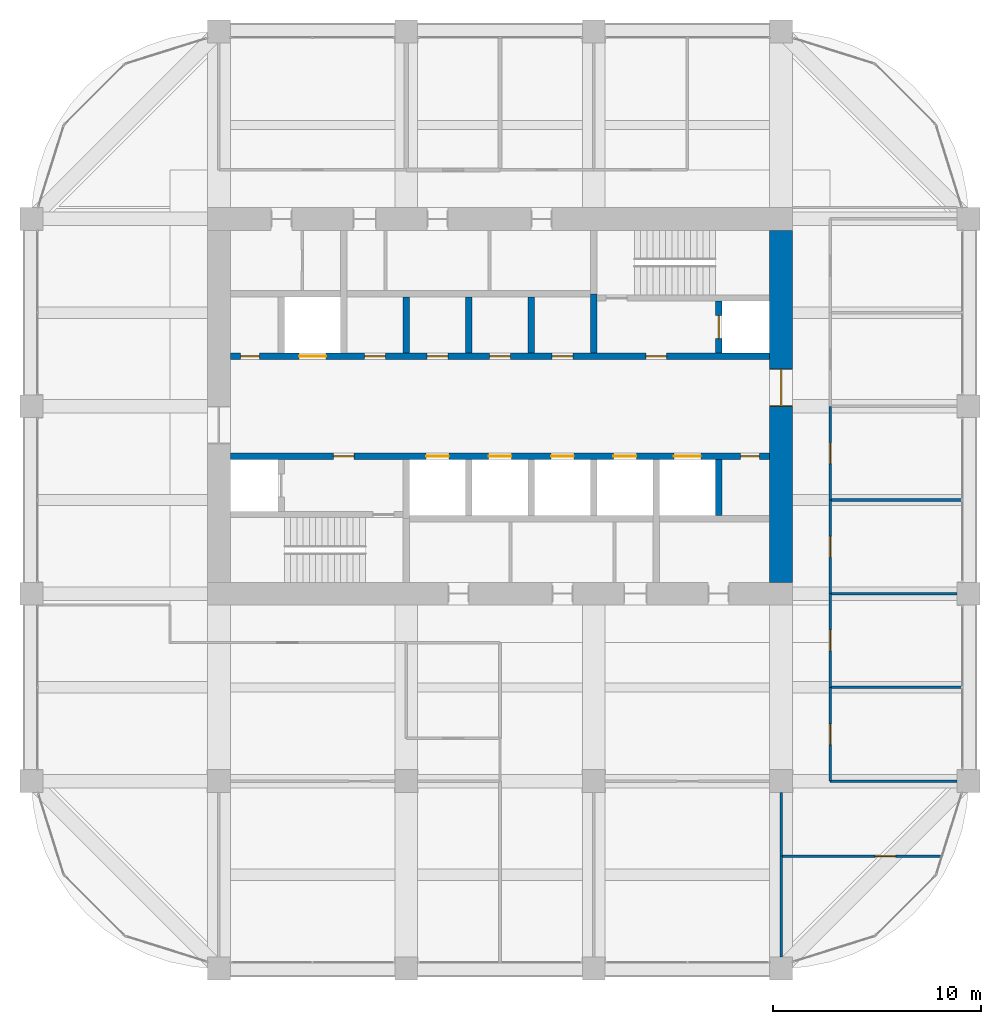
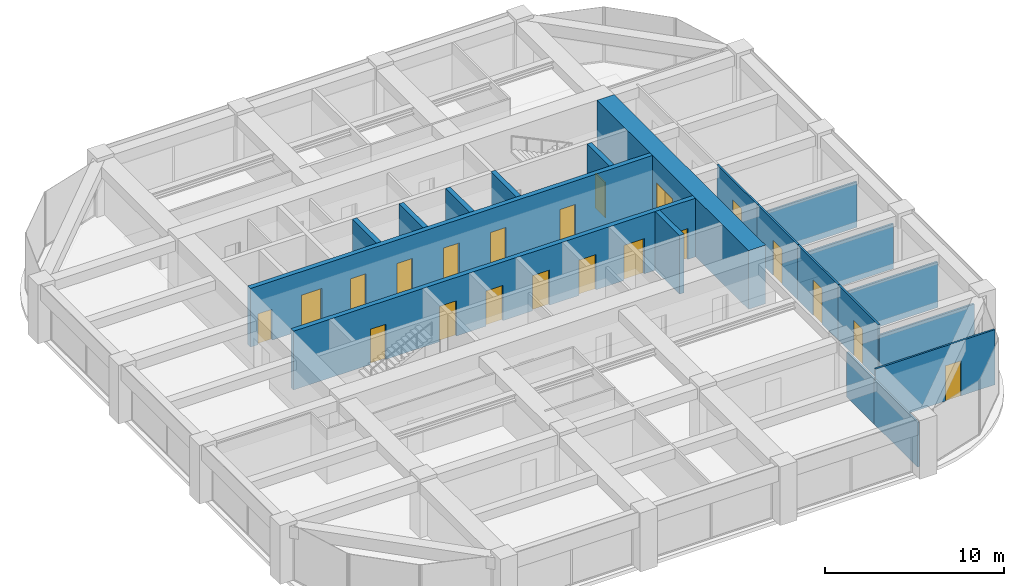
# One storey, part 42 of 45: 21 doors, 20 walls, 21 openings.
"""IFC4 building model written with IfcOpenShell, lengths in metres."""

from ifc_helpers import new_model, si_unit, direction, frame, frame_2d, origin, place, context, subcontext, project, spatial, rectangle, extrude, material, layer, layer_set, type_object, element, fill, save


model = new_model("IFC4")

# Units and contexts
model_context = context("Model", 3, precision=1e-05, world=origin(), true_north=direction((0.0, 1.0)))
body_context = subcontext(model_context, "Body", "Model", "MODEL_VIEW")
ifc_project = project(units=[si_unit("LENGTHUNIT", "METRE"), si_unit("AREAUNIT", "SQUARE_METRE"), si_unit("VOLUMEUNIT", "CUBIC_METRE"), si_unit("PLANEANGLEUNIT", "RADIAN"), si_unit("MASSUNIT", "GRAM", prefix="KILO")], contexts=[model_context])

# Site, building, storey
site_placement = place(None, origin())
site = spatial("IfcSite", under=ifc_project, at=site_placement, CompositionType="ELEMENT")
building_placement = place(site_placement, origin())
building = spatial("IfcBuilding", under=site, at=building_placement, Name="Zorevar Civic Tower", CompositionType="ELEMENT")
storey_placement = place(building_placement, frame((0.0, 0.0, 279.39990234375)))
storey = spatial("IfcBuildingStorey", under=building, at=storey_placement, Name="L68", CompositionType="ELEMENT", Elevation=279.39990234375)

# Wall, opening, door
ifc_material_1 = material(Name="Concrete C50/60", Category="concrete")
ifc_layer_1 = layer(ifc_material_1, 1.10009765625)
ifc_layer_set_1 = layer_set([ifc_layer_1], Name="Core wall 1100")
wall_type_1 = type_object("IfcWallType", Name="Core wall 1100", PredefinedType="SHEAR", material=ifc_layer_set_1)
wall_1_placement = place(storey_placement, frame((45.0, 18.550048828125, 0.0), z_axis=(0.0, 0.0, 1.0), x_axis=(0.0, 1.0, 0.0)))
wall_1 = element("IfcWall", 1, at=wall_1_placement, inside=storey, type_object=wall_type_1, Name="Core wall E L68", PredefinedType="SHEAR", context=body_context, shape_type="SweptSolid", body=[
    extrude(rectangle(XDim=16.89990234375, YDim=1.10009765625, at=frame_2d((8.449951171875, 0.0))), origin(), (0.0, 0.0, 1.0), 4.0),
])
opening_1_placement = place(wall_1_placement, frame((8.449951171875, 0.0, 0.0)))
opening_1 = element("IfcOpeningElement", 2, at=opening_1_placement, cuts=wall_1, Name="Opening L68.02", PredefinedType="OPENING", context=body_context, shape_type="SweptSolid", body=[
    extrude(rectangle(XDim=1.800048828125, YDim=2.39990234375, at=frame_2d((0.89990234375, 1.199951171875))), frame((0.0, 0.56005859375, 0.0), z_axis=(0.0, -1.0, 0.0), x_axis=(1.0, 0.0, 0.0)), (0.0, 0.0, 1.0), 1.1201171875),
])
ifc_material_2 = material(Name="Steel door set", Category="steel")
door_type_1 = type_object("IfcDoorType", Name="Fire door FD2 1800x2400", OperationType="DOUBLE_DOOR_DOUBLE_SWING", PredefinedType="DOOR", material=ifc_material_2)
door_1_placement = place(opening_1_placement, origin())
door_1 = element("IfcDoor", 3, at=door_1_placement, inside=storey, type_object=door_type_1, Name="Door L68 01", OperationType="DOUBLE_DOOR_DOUBLE_SWING", OverallHeight=2.39990234375, OverallWidth=1.800048828125, PredefinedType="DOOR", context=body_context, shape_type="SweptSolid", body=[
    extrude(rectangle(XDim=1.800048828125, YDim=2.39990234375, at=frame_2d((0.89990234375, 1.199951171875))), frame((0.0, 0.030029296875, 0.0), z_axis=(0.0, -1.0, 0.0), x_axis=(1.0, 0.0, 0.0)), (0.0, 0.0, 1.0), 0.06005859375),
    extrude(rectangle(XDim=0.04, YDim=2.39990234375, at=frame_2d((0.02001953125, 1.199951171875))), frame((0.0, 0.5498046875, 0.0), z_axis=(0.0, -1.0, 0.0), x_axis=(1.0, 0.0, 0.0)), (0.0, 0.0, 1.0), 1.099609375),
    extrude(rectangle(XDim=0.04, YDim=2.39990234375, at=frame_2d((1.780029296875, 1.199951171875))), frame((0.0, 0.5498046875, 0.0), z_axis=(0.0, -1.0, 0.0), x_axis=(1.0, 0.0, 0.0)), (0.0, 0.0, 1.0), 1.099609375),
    extrude(rectangle(XDim=1.800048828125, YDim=0.04, at=frame_2d((0.89990234375, 2.3798828125))), frame((0.0, 0.5498046875, 0.0), z_axis=(0.0, -1.0, 0.0), x_axis=(1.0, 0.0, 0.0)), (0.0, 0.0, 1.0), 1.099609375),
])
fill(opening_1, door_1)

ifc_material_3 = material(Name="Concrete C40/50", Category="concrete")
ifc_layer_2 = layer(ifc_material_3, 0.300048828125)
ifc_layer_set_2 = layer_set([ifc_layer_2], Name="Inner core wall 300")
wall_type_2 = type_object("IfcWallType", Name="Inner core wall 300", PredefinedType="SHEAR", material=ifc_layer_set_2)
wall_2_placement = place(storey_placement, frame((42.0, 29.550048828125, 0.0), z_axis=(0.0, 0.0, 1.0), x_axis=(0.0, 1.0, 0.0)))
wall_2 = element("IfcWall", 4, at=wall_2_placement, inside=storey, type_object=wall_type_2, Name="Inner core wall N02 L68", PredefinedType="SHEAR", context=body_context, shape_type="SweptSolid", body=[
    extrude(rectangle(XDim=2.5, YDim=0.300048828125, at=frame_2d((1.25, 0.0))), origin(), (0.0, 0.0, 1.0), 4.0),
])
opening_2_placement = place(wall_2_placement, frame((0.699951171875, 0.0, 0.0)))
opening_2 = element("IfcOpeningElement", 5, at=opening_2_placement, cuts=wall_2, Name="Opening L68.FL2", PredefinedType="OPENING", context=body_context, shape_type="SweptSolid", body=[
    extrude(rectangle(XDim=1.10009765625, YDim=2.39990234375, at=frame_2d((0.550048828125, 1.199951171875))), frame((0.0, 0.159912109375, 0.0), z_axis=(0.0, -1.0, 0.0), x_axis=(1.0, 0.0, 0.0)), (0.0, 0.0, 1.0), 0.320068359375),
])
ifc_material_4 = material(Name="Steel door set", Category="steel")
door_type_2 = type_object("IfcDoorType", Name="Firefighting lift landing door LD3 1100x2400", OperationType="DOUBLE_DOOR_SLIDING", PredefinedType="DOOR", material=ifc_material_4)
door_2_placement = place(opening_2_placement, origin())
door_2 = element("IfcDoor", 6, at=door_2_placement, inside=storey, type_object=door_type_2, Name="Landing door FL2 L68", OperationType="DOUBLE_DOOR_SLIDING", OverallHeight=2.39990234375, OverallWidth=1.10009765625, PredefinedType="DOOR", context=body_context, shape_type="SweptSolid", body=[
    extrude(rectangle(XDim=1.10009765625, YDim=2.39990234375, at=frame_2d((0.550048828125, 1.199951171875))), frame((0.0, 0.030029296875, 0.0), z_axis=(0.0, -1.0, 0.0), x_axis=(1.0, 0.0, 0.0)), (0.0, 0.0, 1.0), 0.06005859375),
])
fill(opening_2, door_2)

# Wall, openings, doors
wall_3_placement = place(storey_placement, frame((18.550048828125, 24.60009765625, 0.0), z_axis=(0.0, 0.0, 1.0), x_axis=(1.0, 0.0, 0.0)))
wall_3 = element("IfcWall", 7, at=wall_3_placement, inside=storey, type_object=wall_type_2, Name="Inner core wall S03 L68", PredefinedType="SHEAR", context=body_context, shape_type="SweptSolid", body=[
    extrude(rectangle(XDim=25.89990234375, YDim=0.300048828125, at=frame_2d((12.949951171875, 0.0))), origin(), (0.0, 0.0, 1.0), 4.0),
])
opening_3_placement = place(wall_3_placement, frame((4.949951171875, 0.0, 0.0)))
opening_3 = element("IfcOpeningElement", 8, at=opening_3_placement, cuts=wall_3, Name="Opening L68.13", PredefinedType="OPENING", context=body_context, shape_type="SweptSolid", body=[
    extrude(rectangle(XDim=1.0, YDim=2.39990234375, at=frame_2d((0.5, 1.199951171875))), frame((0.0, 0.159912109375, 0.0), z_axis=(0.0, -1.0, 0.0), x_axis=(1.0, 0.0, 0.0)), (0.0, 0.0, 1.0), 0.320068359375),
])
opening_4_placement = place(wall_3_placement, frame((24.5, 0.0, 0.0)))
opening_4 = element("IfcOpeningElement", 9, at=opening_4_placement, cuts=wall_3, Name="Opening L68.15", PredefinedType="OPENING", context=body_context, shape_type="SweptSolid", body=[
    extrude(rectangle(XDim=0.89990234375, YDim=2.10009765625, at=frame_2d((0.449951171875, 1.050048828125))), frame((0.0, 0.159912109375, 0.0), z_axis=(0.0, -1.0, 0.0), x_axis=(1.0, 0.0, 0.0)), (0.0, 0.0, 1.0), 0.320068359375),
])
opening_5_placement = place(wall_3_placement, frame((9.39990234375, 0.0, 0.0)))
opening_5 = element("IfcOpeningElement", 10, at=opening_5_placement, cuts=wall_3, Name="Opening L68.LT1", PredefinedType="OPENING", context=body_context, shape_type="SweptSolid", body=[
    extrude(rectangle(XDim=1.10009765625, YDim=2.39990234375, at=frame_2d((0.550048828125, 1.199951171875))), frame((0.0, 0.159912109375, 0.0), z_axis=(0.0, -1.0, 0.0), x_axis=(1.0, 0.0, 0.0)), (0.0, 0.0, 1.0), 0.320068359375),
])
opening_6_placement = place(wall_3_placement, frame((12.39990234375, 0.0, 0.0)))
opening_6 = element("IfcOpeningElement", 11, at=opening_6_placement, cuts=wall_3, Name="Opening L68.LT2", PredefinedType="OPENING", context=body_context, shape_type="SweptSolid", body=[
    extrude(rectangle(XDim=1.10009765625, YDim=2.39990234375, at=frame_2d((0.550048828125, 1.199951171875))), frame((0.0, 0.159912109375, 0.0), z_axis=(0.0, -1.0, 0.0), x_axis=(1.0, 0.0, 0.0)), (0.0, 0.0, 1.0), 0.320068359375),
])
opening_7_placement = place(wall_3_placement, frame((15.39990234375, 0.0, 0.0)))
opening_7 = element("IfcOpeningElement", 12, at=opening_7_placement, cuts=wall_3, Name="Opening L68.LT3", PredefinedType="OPENING", context=body_context, shape_type="SweptSolid", body=[
    extrude(rectangle(XDim=1.10009765625, YDim=2.39990234375, at=frame_2d((0.550048828125, 1.199951171875))), frame((0.0, 0.159912109375, 0.0), z_axis=(0.0, -1.0, 0.0), x_axis=(1.0, 0.0, 0.0)), (0.0, 0.0, 1.0), 0.320068359375),
])
opening_8_placement = place(wall_3_placement, frame((18.39990234375, 0.0, 0.0)))
opening_8 = element("IfcOpeningElement", 13, at=opening_8_placement, cuts=wall_3, Name="Opening L68.LT4", PredefinedType="OPENING", context=body_context, shape_type="SweptSolid", body=[
    extrude(rectangle(XDim=1.10009765625, YDim=2.39990234375, at=frame_2d((0.550048828125, 1.199951171875))), frame((0.0, 0.159912109375, 0.0), z_axis=(0.0, -1.0, 0.0), x_axis=(1.0, 0.0, 0.0)), (0.0, 0.0, 1.0), 0.320068359375),
])
opening_9_placement = place(wall_3_placement, frame((21.300048828125, 0.0, 0.0)))
opening_9 = element("IfcOpeningElement", 14, at=opening_9_placement, cuts=wall_3, Name="Opening L68.SL1", PredefinedType="OPENING", context=body_context, shape_type="SweptSolid", body=[
    extrude(rectangle(XDim=1.300048828125, YDim=2.39990234375, at=frame_2d((0.64990234375, 1.199951171875))), frame((0.0, 0.159912109375, 0.0), z_axis=(0.0, -1.0, 0.0), x_axis=(1.0, 0.0, 0.0)), (0.0, 0.0, 1.0), 0.320068359375),
])
ifc_material_5 = material(Name="Steel door set", Category="steel")
door_type_3 = type_object("IfcDoorType", Name="Fire door FD1 1000x2400", OperationType="SINGLE_SWING_LEFT", PredefinedType="DOOR", material=ifc_material_5)
door_3_placement = place(opening_3_placement, origin())
door_3 = element("IfcDoor", 15, at=door_3_placement, inside=storey, type_object=door_type_3, Name="Door L68 12", OperationType="SINGLE_SWING_RIGHT", OverallHeight=2.39990234375, OverallWidth=1.0, PredefinedType="DOOR", context=body_context, shape_type="SweptSolid", body=[
    extrude(rectangle(XDim=1.0, YDim=2.39990234375, at=frame_2d((0.5, 1.199951171875))), frame((0.0, 0.030029296875, 0.0), z_axis=(0.0, -1.0, 0.0), x_axis=(1.0, 0.0, 0.0)), (0.0, 0.0, 1.0), 0.06005859375),
])
fill(opening_3, door_3)
ifc_material_6 = material(Name="Steel door set", Category="steel")
door_type_4 = type_object("IfcDoorType", Name="Landing door LD1 1100x2400", OperationType="DOUBLE_DOOR_SLIDING", PredefinedType="DOOR", material=ifc_material_6)
door_4_placement = place(opening_5_placement, origin())
door_4 = element("IfcDoor", 16, at=door_4_placement, inside=storey, type_object=door_type_4, Name="Landing door LT1 L68", OperationType="DOUBLE_DOOR_SLIDING", OverallHeight=2.39990234375, OverallWidth=1.10009765625, PredefinedType="DOOR", context=body_context, shape_type="SweptSolid", body=[
    extrude(rectangle(XDim=1.10009765625, YDim=2.39990234375, at=frame_2d((0.550048828125, 1.199951171875))), frame((0.0, 0.02001953125, 0.0), z_axis=(0.0, -1.0, 0.0), x_axis=(1.0, 0.0, 0.0)), (0.0, 0.0, 1.0), 0.0400390625),
])
fill(opening_5, door_4)
door_5_placement = place(opening_6_placement, origin())
door_5 = element("IfcDoor", 17, at=door_5_placement, inside=storey, type_object=door_type_4, Name="Landing door LT2 L68", OperationType="DOUBLE_DOOR_SLIDING", OverallHeight=2.39990234375, OverallWidth=1.10009765625, PredefinedType="DOOR", context=body_context, shape_type="SweptSolid", body=[
    extrude(rectangle(XDim=1.10009765625, YDim=2.39990234375, at=frame_2d((0.550048828125, 1.199951171875))), frame((0.0, 0.02001953125, 0.0), z_axis=(0.0, -1.0, 0.0), x_axis=(1.0, 0.0, 0.0)), (0.0, 0.0, 1.0), 0.0400390625),
])
fill(opening_6, door_5)
door_6_placement = place(opening_7_placement, origin())
door_6 = element("IfcDoor", 18, at=door_6_placement, inside=storey, type_object=door_type_4, Name="Landing door LT3 L68", OperationType="DOUBLE_DOOR_SLIDING", OverallHeight=2.39990234375, OverallWidth=1.10009765625, PredefinedType="DOOR", context=body_context, shape_type="SweptSolid", body=[
    extrude(rectangle(XDim=1.10009765625, YDim=2.39990234375, at=frame_2d((0.550048828125, 1.199951171875))), frame((0.0, 0.02001953125, 0.0), z_axis=(0.0, -1.0, 0.0), x_axis=(1.0, 0.0, 0.0)), (0.0, 0.0, 1.0), 0.0400390625),
])
fill(opening_7, door_6)
door_7_placement = place(opening_8_placement, origin())
door_7 = element("IfcDoor", 19, at=door_7_placement, inside=storey, type_object=door_type_4, Name="Landing door LT4 L68", OperationType="DOUBLE_DOOR_SLIDING", OverallHeight=2.39990234375, OverallWidth=1.10009765625, PredefinedType="DOOR", context=body_context, shape_type="SweptSolid", body=[
    extrude(rectangle(XDim=1.10009765625, YDim=2.39990234375, at=frame_2d((0.550048828125, 1.199951171875))), frame((0.0, 0.02001953125, 0.0), z_axis=(0.0, -1.0, 0.0), x_axis=(1.0, 0.0, 0.0)), (0.0, 0.0, 1.0), 0.0400390625),
])
fill(opening_8, door_7)
ifc_material_7 = material(Name="Steel door set", Category="steel")
door_type_5 = type_object("IfcDoorType", Name="Landing door LD2 1300x2400", OperationType="DOUBLE_DOOR_SLIDING", PredefinedType="DOOR", material=ifc_material_7)
door_8_placement = place(opening_9_placement, origin())
door_8 = element("IfcDoor", 20, at=door_8_placement, inside=storey, type_object=door_type_5, Name="Landing door SL1 L68", OperationType="DOUBLE_DOOR_SLIDING", OverallHeight=2.39990234375, OverallWidth=1.300048828125, PredefinedType="DOOR", context=body_context, shape_type="SweptSolid", body=[
    extrude(rectangle(XDim=1.300048828125, YDim=2.39990234375, at=frame_2d((0.64990234375, 1.199951171875))), frame((0.0, 0.02001953125, 0.0), z_axis=(0.0, -1.0, 0.0), x_axis=(1.0, 0.0, 0.0)), (0.0, 0.0, 1.0), 0.0400390625),
])
fill(opening_9, door_8)
ifc_material_8 = material(Name="Steel door set", Category="steel")
door_type_6 = type_object("IfcDoorType", Name="Riser door RD1 900x2100", OperationType="SINGLE_SWING_LEFT", PredefinedType="DOOR", material=ifc_material_8)
door_9_placement = place(opening_4_placement, origin())
door_9 = element("IfcDoor", 21, at=door_9_placement, inside=storey, type_object=door_type_6, Name="Door L68 14", OperationType="SINGLE_SWING_RIGHT", OverallHeight=2.10009765625, OverallWidth=0.89990234375, PredefinedType="DOOR", context=body_context, shape_type="SweptSolid", body=[
    extrude(rectangle(XDim=0.89990234375, YDim=2.10009765625, at=frame_2d((0.449951171875, 1.050048828125))), frame((0.0, 0.030029296875, 0.0), z_axis=(0.0, -1.0, 0.0), x_axis=(1.0, 0.0, 0.0)), (0.0, 0.0, 1.0), 0.06005859375),
])
fill(opening_4, door_9)

wall_4_placement = place(storey_placement, frame((18.550048828125, 29.39990234375, 0.0), z_axis=(0.0, 0.0, 1.0), x_axis=(1.0, 0.0, 0.0)))
wall_4 = element("IfcWall", 22, at=wall_4_placement, inside=storey, type_object=wall_type_2, Name="Inner core wall N03 L68", PredefinedType="SHEAR", context=body_context, shape_type="SweptSolid", body=[
    extrude(rectangle(XDim=25.89990234375, YDim=0.300048828125, at=frame_2d((12.949951171875, 0.0))), origin(), (0.0, 0.0, 1.0), 4.0),
])
opening_10_placement = place(wall_4_placement, frame((19.949951171875, 0.0, 0.0)))
opening_10 = element("IfcOpeningElement", 23, at=opening_10_placement, cuts=wall_4, Name="Opening L68.14", PredefinedType="OPENING", context=body_context, shape_type="SweptSolid", body=[
    extrude(rectangle(XDim=1.0, YDim=2.39990234375, at=frame_2d((0.5, 1.199951171875))), frame((0.0, 0.159912109375, 0.0), z_axis=(0.0, -1.0, 0.0), x_axis=(1.0, 0.0, 0.0)), (0.0, 0.0, 1.0), 0.320068359375),
])
opening_11_placement = place(wall_4_placement, frame((0.5, 0.0, 0.0)))
opening_11 = element("IfcOpeningElement", 24, at=opening_11_placement, cuts=wall_4, Name="Opening L68.16", PredefinedType="OPENING", context=body_context, shape_type="SweptSolid", body=[
    extrude(rectangle(XDim=0.89990234375, YDim=2.10009765625, at=frame_2d((0.449951171875, 1.050048828125))), frame((0.0, 0.159912109375, 0.0), z_axis=(0.0, -1.0, 0.0), x_axis=(1.0, 0.0, 0.0)), (0.0, 0.0, 1.0), 0.320068359375),
])
opening_12_placement = place(wall_4_placement, frame((15.449951171875, 0.0, 0.0)))
opening_12 = element("IfcOpeningElement", 25, at=opening_12_placement, cuts=wall_4, Name="Opening L68.33", PredefinedType="OPENING", context=body_context, shape_type="SweptSolid", body=[
    extrude(rectangle(XDim=1.0, YDim=2.39990234375, at=frame_2d((0.5, 1.199951171875))), frame((0.0, 0.159912109375, 0.0), z_axis=(0.0, -1.0, 0.0), x_axis=(1.0, 0.0, 0.0)), (0.0, 0.0, 1.0), 0.320068359375),
])
opening_13_placement = place(wall_4_placement, frame((12.449951171875, 0.0, 0.0)))
opening_13 = element("IfcOpeningElement", 26, at=opening_13_placement, cuts=wall_4, Name="Opening L68.34", PredefinedType="OPENING", context=body_context, shape_type="SweptSolid", body=[
    extrude(rectangle(XDim=1.0, YDim=2.39990234375, at=frame_2d((0.5, 1.199951171875))), frame((0.0, 0.159912109375, 0.0), z_axis=(0.0, -1.0, 0.0), x_axis=(1.0, 0.0, 0.0)), (0.0, 0.0, 1.0), 0.320068359375),
])
opening_14_placement = place(wall_4_placement, frame((9.449951171875, 0.0, 0.0)))
opening_14 = element("IfcOpeningElement", 27, at=opening_14_placement, cuts=wall_4, Name="Opening L68.35", PredefinedType="OPENING", context=body_context, shape_type="SweptSolid", body=[
    extrude(rectangle(XDim=1.0, YDim=2.39990234375, at=frame_2d((0.5, 1.199951171875))), frame((0.0, 0.159912109375, 0.0), z_axis=(0.0, -1.0, 0.0), x_axis=(1.0, 0.0, 0.0)), (0.0, 0.0, 1.0), 0.320068359375),
])
opening_15_placement = place(wall_4_placement, frame((6.449951171875, 0.0, 0.0)))
opening_15 = element("IfcOpeningElement", 28, at=opening_15_placement, cuts=wall_4, Name="Opening L68.36", PredefinedType="OPENING", context=body_context, shape_type="SweptSolid", body=[
    extrude(rectangle(XDim=1.0, YDim=2.39990234375, at=frame_2d((0.5, 1.199951171875))), frame((0.0, 0.159912109375, 0.0), z_axis=(0.0, -1.0, 0.0), x_axis=(1.0, 0.0, 0.0)), (0.0, 0.0, 1.0), 0.320068359375),
])
opening_16_placement = place(wall_4_placement, frame((3.300048828125, 0.0, 0.0)))
opening_16 = element("IfcOpeningElement", 29, at=opening_16_placement, cuts=wall_4, Name="Opening L68.SL2", PredefinedType="OPENING", context=body_context, shape_type="SweptSolid", body=[
    extrude(rectangle(XDim=1.300048828125, YDim=2.39990234375, at=frame_2d((0.64990234375, 1.199951171875))), frame((0.0, 0.159912109375, 0.0), z_axis=(0.0, -1.0, 0.0), x_axis=(1.0, 0.0, 0.0)), (0.0, 0.0, 1.0), 0.320068359375),
])
door_10_placement = place(opening_10_placement, origin())
door_10 = element("IfcDoor", 30, at=door_10_placement, inside=storey, type_object=door_type_3, Name="Door L68 13", OperationType="SINGLE_SWING_RIGHT", OverallHeight=2.39990234375, OverallWidth=1.0, PredefinedType="DOOR", context=body_context, shape_type="SweptSolid", body=[
    extrude(rectangle(XDim=1.0, YDim=2.39990234375, at=frame_2d((0.5, 1.199951171875))), frame((0.0, 0.030029296875, 0.0), z_axis=(0.0, -1.0, 0.0), x_axis=(1.0, 0.0, 0.0)), (0.0, 0.0, 1.0), 0.06005859375),
])
fill(opening_10, door_10)
door_11_placement = place(opening_12_placement, origin())
door_11 = element("IfcDoor", 31, at=door_11_placement, inside=storey, type_object=door_type_3, Name="Door L68 LM1 shaft room", OperationType="SINGLE_SWING_LEFT", OverallHeight=2.39990234375, OverallWidth=1.0, PredefinedType="DOOR", context=body_context, shape_type="SweptSolid", body=[
    extrude(rectangle(XDim=1.0, YDim=2.39990234375, at=frame_2d((0.5, 1.199951171875))), frame((0.0, 0.030029296875, 0.0), z_axis=(0.0, -1.0, 0.0), x_axis=(1.0, 0.0, 0.0)), (0.0, 0.0, 1.0), 0.06005859375),
])
fill(opening_12, door_11)
door_12_placement = place(opening_13_placement, origin())
door_12 = element("IfcDoor", 32, at=door_12_placement, inside=storey, type_object=door_type_3, Name="Door L68 LM2 shaft room", OperationType="SINGLE_SWING_LEFT", OverallHeight=2.39990234375, OverallWidth=1.0, PredefinedType="DOOR", context=body_context, shape_type="SweptSolid", body=[
    extrude(rectangle(XDim=1.0, YDim=2.39990234375, at=frame_2d((0.5, 1.199951171875))), frame((0.0, 0.030029296875, 0.0), z_axis=(0.0, -1.0, 0.0), x_axis=(1.0, 0.0, 0.0)), (0.0, 0.0, 1.0), 0.06005859375),
])
fill(opening_13, door_12)
door_13_placement = place(opening_14_placement, origin())
door_13 = element("IfcDoor", 33, at=door_13_placement, inside=storey, type_object=door_type_3, Name="Door L68 LH1 shaft room", OperationType="SINGLE_SWING_RIGHT", OverallHeight=2.39990234375, OverallWidth=1.0, PredefinedType="DOOR", context=body_context, shape_type="SweptSolid", body=[
    extrude(rectangle(XDim=1.0, YDim=2.39990234375, at=frame_2d((0.5, 1.199951171875))), frame((0.0, 0.030029296875, 0.0), z_axis=(0.0, -1.0, 0.0), x_axis=(1.0, 0.0, 0.0)), (0.0, 0.0, 1.0), 0.06005859375),
])
fill(opening_14, door_13)
door_14_placement = place(opening_15_placement, origin())
door_14 = element("IfcDoor", 34, at=door_14_placement, inside=storey, type_object=door_type_3, Name="Door L68 LH2 shaft room", OperationType="SINGLE_SWING_RIGHT", OverallHeight=2.39990234375, OverallWidth=1.0, PredefinedType="DOOR", context=body_context, shape_type="SweptSolid", body=[
    extrude(rectangle(XDim=1.0, YDim=2.39990234375, at=frame_2d((0.5, 1.199951171875))), frame((0.0, 0.030029296875, 0.0), z_axis=(0.0, -1.0, 0.0), x_axis=(1.0, 0.0, 0.0)), (0.0, 0.0, 1.0), 0.06005859375),
])
fill(opening_15, door_14)
door_15_placement = place(opening_16_placement, origin())
door_15 = element("IfcDoor", 35, at=door_15_placement, inside=storey, type_object=door_type_5, Name="Landing door SL2 L68", OperationType="DOUBLE_DOOR_SLIDING", OverallHeight=2.39990234375, OverallWidth=1.300048828125, PredefinedType="DOOR", context=body_context, shape_type="SweptSolid", body=[
    extrude(rectangle(XDim=1.300048828125, YDim=2.39990234375, at=frame_2d((0.64990234375, 1.199951171875))), frame((0.0, 0.02001953125, 0.0), z_axis=(0.0, -1.0, 0.0), x_axis=(1.0, 0.0, 0.0)), (0.0, 0.0, 1.0), 0.0400390625),
])
fill(opening_16, door_15)
door_16_placement = place(opening_11_placement, origin())
door_16 = element("IfcDoor", 36, at=door_16_placement, inside=storey, type_object=door_type_6, Name="Door L68 15", OperationType="SINGLE_SWING_RIGHT", OverallHeight=2.10009765625, OverallWidth=0.89990234375, PredefinedType="DOOR", context=body_context, shape_type="SweptSolid", body=[
    extrude(rectangle(XDim=0.89990234375, YDim=2.10009765625, at=frame_2d((0.449951171875, 1.050048828125))), frame((0.0, 0.030029296875, 0.0), z_axis=(0.0, -1.0, 0.0), x_axis=(1.0, 0.0, 0.0)), (0.0, 0.0, 1.0), 0.06005859375),
])
fill(opening_11, door_16)

# Walls
for number, where, z_axis, x_axis, name in (
    (37, (33.0, 29.550048828125, 0.0), (0.0, 0.0, 1.0), (0.0, 1.0, 0.0), "Inner core wall N05 L68"),
    (38, (30.0, 29.550048828125, 0.0), (0.0, 0.0, 1.0), (0.0, 1.0, 0.0), "Inner core wall N06 L68"),
    (39, (27.0, 29.550048828125, 0.0), (0.0, 0.0, 1.0), (0.0, 1.0, 0.0), "Inner core wall N07 L68"),
    (40, (42.0, 21.75, 0.0), (0.0, 0.0, 1.0), (0.0, 1.0, 0.0), "Inner core wall S09 L68"),
):
    element("IfcWall", number, at=place(storey_placement, frame(where, z_axis=z_axis, x_axis=x_axis)), inside=storey, type_object=wall_type_2, Name=name, PredefinedType="SHEAR", context=body_context, shape_type="SweptSolid", body=[
        extrude(rectangle(XDim=2.699951171875, YDim=0.300048828125, at=frame_2d((1.35009765625, 0.0))), origin(), (0.0, 0.0, 1.0), 4.0),
    ])
wall_5_placement = place(storey_placement, frame((36.0, 29.550048828125, 0.0), z_axis=(0.0, 0.0, 1.0), x_axis=(0.0, 1.0, 0.0)))
element("IfcWall", 41, at=wall_5_placement, inside=storey, type_object=wall_type_2, Name="Inner core wall N10 L68", PredefinedType="SHEAR", context=body_context, shape_type="SweptSolid", body=[
    extrude(rectangle(XDim=2.849853515625, YDim=0.300048828125, at=frame_2d((1.4248046875, 0.0))), origin(), (0.0, 0.0, 1.0), 4.0),
])

# Wall, opening, door
ifc_material_9 = material(Name="Gypsum board on steel studs", Category="steel")
ifc_layer_3 = layer(ifc_material_9, 0.1201171875)
ifc_layer_set_3 = layer_set([ifc_layer_3], Name="Partition 120")
wall_type_3 = type_object("IfcWallType", Name="Partition 120", PredefinedType="PARTITIONING", material=ifc_layer_set_3)
wall_6_placement = place(storey_placement, frame((45.0, 5.39990234375, 0.0), z_axis=(0.0, 0.0, 1.0), x_axis=(1.0, 0.0, 0.0)))
wall_6 = element("IfcWall", 42, at=wall_6_placement, inside=storey, type_object=wall_type_3, Name="Partition 120 L68", PredefinedType="PARTITIONING", context=body_context, shape_type="SweptSolid", body=[
    extrude(rectangle(XDim=7.690185546875, YDim=0.1201171875, at=frame_2d((3.84521484375, 0.0))), origin(), (0.0, 0.0, 1.0), 3.75),
])
opening_17_placement = place(wall_6_placement, frame((4.5, 0.0, 0.0)))
opening_17 = element("IfcOpeningElement", 43, at=opening_17_placement, cuts=wall_6, Name="Opening L68.17", PredefinedType="OPENING", context=body_context, shape_type="SweptSolid", body=[
    extrude(rectangle(XDim=1.0, YDim=2.39990234375, at=frame_2d((0.5, 1.199951171875))), frame((0.0, 0.070068359375, 0.0), z_axis=(0.0, -1.0, 0.0), x_axis=(1.0, 0.0, 0.0)), (0.0, 0.0, 1.0), 0.14013671875),
])
ifc_material_10 = material(Name="Timber door set", Category="wood")
door_type_7 = type_object("IfcDoorType", Name="Door D1 1000x2400", OperationType="SINGLE_SWING_LEFT", PredefinedType="DOOR", material=ifc_material_10)
door_17_placement = place(opening_17_placement, origin())
door_17 = element("IfcDoor", 44, at=door_17_placement, inside=storey, type_object=door_type_7, Name="Door L68 D1", OperationType="SINGLE_SWING_LEFT", OverallHeight=2.39990234375, OverallWidth=1.0, PredefinedType="DOOR", context=body_context, shape_type="SweptSolid", body=[
    extrude(rectangle(XDim=1.0, YDim=2.39990234375, at=frame_2d((0.5, 1.199951171875))), frame((0.0, 0.02490234375, 0.0), z_axis=(0.0, -1.0, 0.0), x_axis=(1.0, 0.0, 0.0)), (0.0, 0.0, 1.0), 0.050048828125),
])
fill(opening_17, door_17)

# Walls
wall_7_placement = place(storey_placement, frame((47.35009765625, 9.0, 0.0), z_axis=(0.0, 0.0, 1.0), x_axis=(1.0, 0.0, 0.0)))
element("IfcWall", 45, at=wall_7_placement, inside=storey, type_object=wall_type_3, Name="Partition 120 L68", PredefinedType="PARTITIONING", context=body_context, shape_type="SweptSolid", body=[
    extrude(rectangle(XDim=6.099853515625, YDim=0.1201171875, at=frame_2d((3.0498046875, 0.0))), origin(), (0.0, 0.0, 1.0), 3.050048828125),
])
wall_8_placement = place(storey_placement, frame((47.35009765625, 13.5, 0.0), z_axis=(0.0, 0.0, 1.0), x_axis=(1.0, 0.0, 0.0)))
element("IfcWall", 46, at=wall_8_placement, inside=storey, type_object=wall_type_3, Name="Partition 120 L68", PredefinedType="PARTITIONING", context=body_context, shape_type="SweptSolid", body=[
    extrude(rectangle(XDim=6.33984375, YDim=0.1201171875, at=frame_2d((3.169921875, 0.0))), origin(), (0.0, 0.0, 1.0), 3.10009765625),
])
wall_9_placement = place(storey_placement, frame((47.35009765625, 18.0, 0.0), z_axis=(0.0, 0.0, 1.0), x_axis=(1.0, 0.0, 0.0)))
element("IfcWall", 47, at=wall_9_placement, inside=storey, type_object=wall_type_3, Name="Partition 120 L68", PredefinedType="PARTITIONING", context=body_context, shape_type="SweptSolid", body=[
    extrude(rectangle(XDim=6.099853515625, YDim=0.1201171875, at=frame_2d((3.0498046875, 0.0))), origin(), (0.0, 0.0, 1.0), 3.050048828125),
])
wall_10_placement = place(storey_placement, frame((47.35009765625, 22.5, 0.0), z_axis=(0.0, 0.0, 1.0), x_axis=(1.0, 0.0, 0.0)))
element("IfcWall", 48, at=wall_10_placement, inside=storey, type_object=wall_type_3, Name="Partition 120 L68", PredefinedType="PARTITIONING", context=body_context, shape_type="SweptSolid", body=[
    extrude(rectangle(XDim=6.33984375, YDim=0.1201171875, at=frame_2d((3.169921875, 0.0))), origin(), (0.0, 0.0, 1.0), 3.10009765625),
])
wall_11_placement = place(storey_placement, frame((45.0, 0.550048828125, 0.0), z_axis=(0.0, 0.0, 1.0), x_axis=(0.0, 1.0, 0.0)))
element("IfcWall", 49, at=wall_11_placement, inside=storey, type_object=wall_type_3, Name="Partition 120 L68", PredefinedType="PARTITIONING", context=body_context, shape_type="SweptSolid", body=[
    extrude(rectangle(XDim=4.849853515625, YDim=0.1201171875, at=frame_2d((2.4248046875, 0.0))), origin(), (0.0, 0.0, 1.0), 3.050048828125),
])
wall_12_placement = place(storey_placement, frame((45.0, 5.39990234375, 0.0), z_axis=(0.0, 0.0, 1.0), x_axis=(0.0, 1.0, 0.0)))
element("IfcWall", 50, at=wall_12_placement, inside=storey, type_object=wall_type_3, Name="Partition 120 L68", PredefinedType="PARTITIONING", context=body_context, shape_type="SweptSolid", body=[
    extrude(rectangle(XDim=3.050048828125, YDim=0.1201171875, at=frame_2d((1.52490234375, 0.0))), origin(), (0.0, 0.0, 1.0), 3.050048828125),
])

# Wall, opening, door
wall_13_placement = place(storey_placement, frame((47.35009765625, 9.0, 0.0), z_axis=(0.0, 0.0, 1.0), x_axis=(0.0, 1.0, 0.0)))
wall_13 = element("IfcWall", 51, at=wall_13_placement, inside=storey, type_object=wall_type_3, Name="Partition 120 L68", PredefinedType="PARTITIONING", context=body_context, shape_type="SweptSolid", body=[
    extrude(rectangle(XDim=4.5, YDim=0.1201171875, at=frame_2d((2.25, 0.0))), origin(), (0.0, 0.0, 1.0), 3.75),
])
opening_18_placement = place(wall_13_placement, frame((1.75, 0.0, 0.0)))
opening_18 = element("IfcOpeningElement", 52, at=opening_18_placement, cuts=wall_13, Name="Opening L68.26", PredefinedType="OPENING", context=body_context, shape_type="SweptSolid", body=[
    extrude(rectangle(XDim=1.0, YDim=2.39990234375, at=frame_2d((0.5, 1.199951171875))), frame((0.0, 0.070068359375, 0.0), z_axis=(0.0, -1.0, 0.0), x_axis=(1.0, 0.0, 0.0)), (0.0, 0.0, 1.0), 0.14013671875),
])
door_18_placement = place(opening_18_placement, origin())
door_18 = element("IfcDoor", 53, at=door_18_placement, inside=storey, type_object=door_type_7, Name="Door L68 D1", OperationType="SINGLE_SWING_LEFT", OverallHeight=2.39990234375, OverallWidth=1.0, PredefinedType="DOOR", context=body_context, shape_type="SweptSolid", body=[
    extrude(rectangle(XDim=1.0, YDim=2.39990234375, at=frame_2d((0.5, 1.199951171875))), frame((0.0, 0.02490234375, 0.0), z_axis=(0.0, -1.0, 0.0), x_axis=(1.0, 0.0, 0.0)), (0.0, 0.0, 1.0), 0.050048828125),
])
fill(opening_18, door_18)

wall_14_placement = place(storey_placement, frame((47.35009765625, 13.5, 0.0), z_axis=(0.0, 0.0, 1.0), x_axis=(0.0, 1.0, 0.0)))
wall_14 = element("IfcWall", 54, at=wall_14_placement, inside=storey, type_object=wall_type_3, Name="Partition 120 L68", PredefinedType="PARTITIONING", context=body_context, shape_type="SweptSolid", body=[
    extrude(rectangle(XDim=4.5, YDim=0.1201171875, at=frame_2d((2.25, 0.0))), origin(), (0.0, 0.0, 1.0), 3.75),
])
opening_19_placement = place(wall_14_placement, frame((1.75, 0.0, 0.0)))
opening_19 = element("IfcOpeningElement", 55, at=opening_19_placement, cuts=wall_14, Name="Opening L68.27", PredefinedType="OPENING", context=body_context, shape_type="SweptSolid", body=[
    extrude(rectangle(XDim=1.0, YDim=2.39990234375, at=frame_2d((0.5, 1.199951171875))), frame((0.0, 0.070068359375, 0.0), z_axis=(0.0, -1.0, 0.0), x_axis=(1.0, 0.0, 0.0)), (0.0, 0.0, 1.0), 0.14013671875),
])
door_19_placement = place(opening_19_placement, origin())
door_19 = element("IfcDoor", 56, at=door_19_placement, inside=storey, type_object=door_type_7, Name="Door L68 D1", OperationType="SINGLE_SWING_RIGHT", OverallHeight=2.39990234375, OverallWidth=1.0, PredefinedType="DOOR", context=body_context, shape_type="SweptSolid", body=[
    extrude(rectangle(XDim=1.0, YDim=2.39990234375, at=frame_2d((0.5, 1.199951171875))), frame((0.0, 0.02490234375, 0.0), z_axis=(0.0, -1.0, 0.0), x_axis=(1.0, 0.0, 0.0)), (0.0, 0.0, 1.0), 0.050048828125),
])
fill(opening_19, door_19)

wall_15_placement = place(storey_placement, frame((47.35009765625, 18.0, 0.0), z_axis=(0.0, 0.0, 1.0), x_axis=(0.0, 1.0, 0.0)))
wall_15 = element("IfcWall", 57, at=wall_15_placement, inside=storey, type_object=wall_type_3, Name="Partition 120 L68", PredefinedType="PARTITIONING", context=body_context, shape_type="SweptSolid", body=[
    extrude(rectangle(XDim=4.5, YDim=0.1201171875, at=frame_2d((2.25, 0.0))), origin(), (0.0, 0.0, 1.0), 3.75),
])
opening_20_placement = place(wall_15_placement, frame((1.75, 0.0, 0.0)))
opening_20 = element("IfcOpeningElement", 58, at=opening_20_placement, cuts=wall_15, Name="Opening L68.28", PredefinedType="OPENING", context=body_context, shape_type="SweptSolid", body=[
    extrude(rectangle(XDim=1.0, YDim=2.39990234375, at=frame_2d((0.5, 1.199951171875))), frame((0.0, 0.070068359375, 0.0), z_axis=(0.0, -1.0, 0.0), x_axis=(1.0, 0.0, 0.0)), (0.0, 0.0, 1.0), 0.14013671875),
])
door_20_placement = place(opening_20_placement, origin())
door_20 = element("IfcDoor", 59, at=door_20_placement, inside=storey, type_object=door_type_7, Name="Door L68 D1", OperationType="SINGLE_SWING_RIGHT", OverallHeight=2.39990234375, OverallWidth=1.0, PredefinedType="DOOR", context=body_context, shape_type="SweptSolid", body=[
    extrude(rectangle(XDim=1.0, YDim=2.39990234375, at=frame_2d((0.5, 1.199951171875))), frame((0.0, 0.02490234375, 0.0), z_axis=(0.0, -1.0, 0.0), x_axis=(1.0, 0.0, 0.0)), (0.0, 0.0, 1.0), 0.050048828125),
])
fill(opening_20, door_20)

wall_16_placement = place(storey_placement, frame((47.35009765625, 22.5, 0.0), z_axis=(0.0, 0.0, 1.0), x_axis=(0.0, 1.0, 0.0)))
wall_16 = element("IfcWall", 60, at=wall_16_placement, inside=storey, type_object=wall_type_3, Name="Partition 120 L68", PredefinedType="PARTITIONING", context=body_context, shape_type="SweptSolid", body=[
    extrude(rectangle(XDim=4.5, YDim=0.1201171875, at=frame_2d((2.25, 0.0))), origin(), (0.0, 0.0, 1.0), 3.75),
])
opening_21_placement = place(wall_16_placement, frame((1.75, 0.0, 0.0)))
opening_21 = element("IfcOpeningElement", 61, at=opening_21_placement, cuts=wall_16, Name="Opening L68.29", PredefinedType="OPENING", context=body_context, shape_type="SweptSolid", body=[
    extrude(rectangle(XDim=1.0, YDim=2.39990234375, at=frame_2d((0.5, 1.199951171875))), frame((0.0, 0.070068359375, 0.0), z_axis=(0.0, -1.0, 0.0), x_axis=(1.0, 0.0, 0.0)), (0.0, 0.0, 1.0), 0.14013671875),
])
door_21_placement = place(opening_21_placement, origin())
door_21 = element("IfcDoor", 62, at=door_21_placement, inside=storey, type_object=door_type_7, Name="Door L68 D1", OperationType="SINGLE_SWING_RIGHT", OverallHeight=2.39990234375, OverallWidth=1.0, PredefinedType="DOOR", context=body_context, shape_type="SweptSolid", body=[
    extrude(rectangle(XDim=1.0, YDim=2.39990234375, at=frame_2d((0.5, 1.199951171875))), frame((0.0, 0.02490234375, 0.0), z_axis=(0.0, -1.0, 0.0), x_axis=(1.0, 0.0, 0.0)), (0.0, 0.0, 1.0), 0.050048828125),
])
fill(opening_21, door_21)

save(model, "model.ifc")
